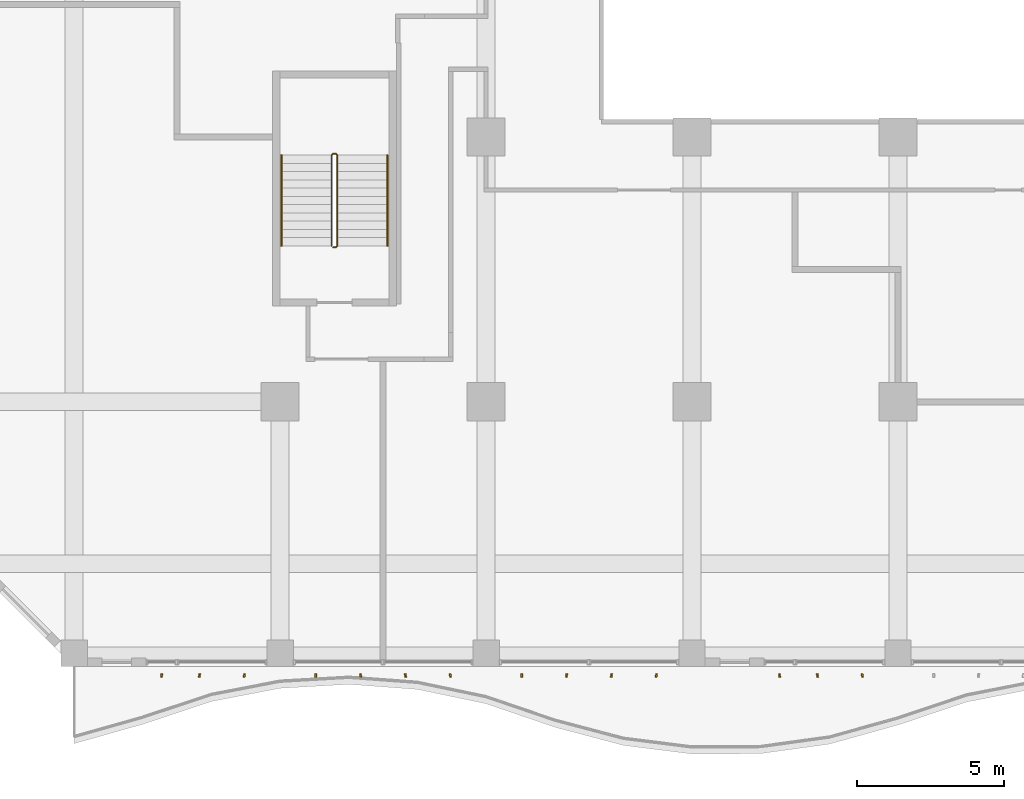
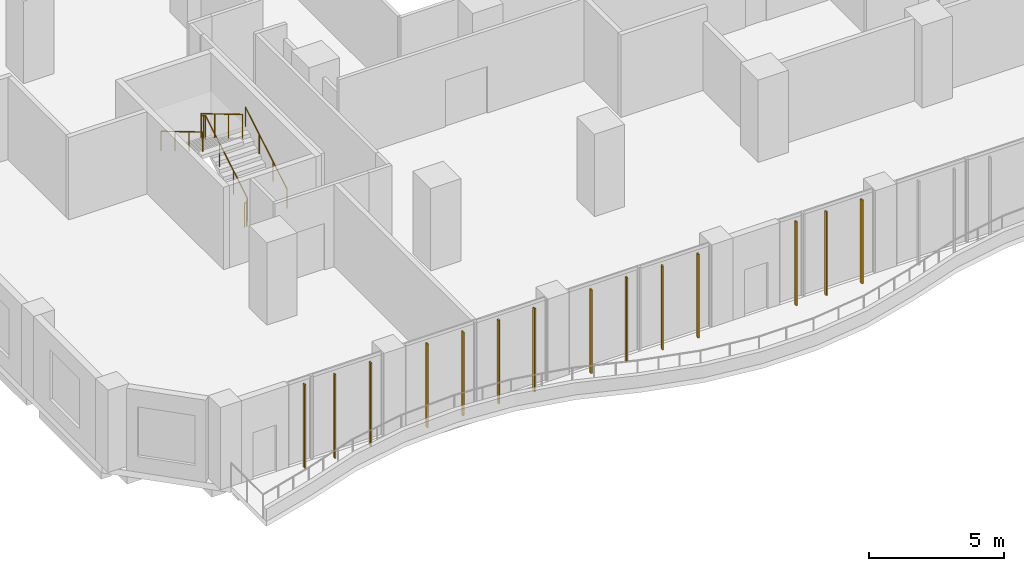
# One storey, part 19 of 26: 14 shading devices, 3 railings.
"""IFC4 building model written with IfcOpenShell, lengths in metres."""

from ifc_helpers import new_model, si_unit, direction, frame, origin, origin_2d, place, context, subcontext, project, spatial, rectangle, circle, extrude, source, transform, mapped, material, material_profile, profile_set, type_object, element, save


model = new_model("IFC4")

# Units and contexts
model_context = context("Model", 3, precision=1e-05, world=origin(), true_north=direction((0.0, 1.0)))
body_context = subcontext(model_context, "Body", "Model", "MODEL_VIEW")
ifc_project = project(units=[si_unit("LENGTHUNIT", "METRE"), si_unit("AREAUNIT", "SQUARE_METRE"), si_unit("VOLUMEUNIT", "CUBIC_METRE"), si_unit("PLANEANGLEUNIT", "RADIAN"), si_unit("MASSUNIT", "GRAM", prefix="KILO")], contexts=[model_context])

# Site, building, storey
site_placement = place(None, origin())
site = spatial("IfcSite", under=ifc_project, at=site_placement, CompositionType="ELEMENT")
building_placement = place(site_placement, origin())
building = spatial("IfcBuilding", under=site, at=building_placement, Name="Kilnfold Tower and Market Hall", CompositionType="ELEMENT")
storey_placement = place(building_placement, frame((0.0, 0.0, 31.0)))
storey = spatial("IfcBuildingStorey", under=building, at=storey_placement, Name="L06", CompositionType="ELEMENT", Elevation=31.0)

# Railings
ifc_material_1 = material(Name="Stainless steel 316", Category="steel")
railing_type_1 = type_object("IfcRailingType", Name="CORE STAIR GUARD 1100", PredefinedType="GUARDRAIL", material=ifc_material_1)
railing_1_placement = place(storey_placement, frame((-15.699951171875, -13.75, 0.0)))
element("IfcRailing", 1, at=railing_1_placement, inside=storey, type_object=railing_type_1, Name="L06 ST3 stair guard 1", PredefinedType="GUARDRAIL", context=body_context, shape_type="SweptSolid", body=[
    extrude(circle(Radius=0.02392578125, at=origin_2d()), frame((0.0, 0.0, 1.076171875), z_axis=(1.0, 0.0, 0.0), x_axis=(0.0, 1.0, 0.0)), (0.0, 0.0, 1.0), 0.099853515625),
    extrude(circle(Radius=0.02392578125, at=origin_2d()), frame((0.099853515625, 0.0, 1.076171875), z_axis=(0.27628659633, 0.27628659633, 0.920506074601), x_axis=(-0.707106781187, 0.707106781187, 0.0)), (0.0, 0.0, 1.0), 0.18115234375),
    extrude(circle(Radius=0.02392578125, at=origin_2d()), frame((0.14990234375, 0.050048828125, 1.24267578125), z_axis=(0.0, 0.859290745958, 0.51148745235), x_axis=(-1.0, 0.0, 0.0)), (0.0, 0.0, 1.0), 3.584228515625),
    extrude(circle(Radius=0.02392578125, at=origin_2d()), frame((0.14990234375, 3.1298828125, 3.076171875), z_axis=(-0.707106781187, 0.707106781187, 0.0), x_axis=(-0.707106781187, -0.707106781187, 0.0)), (0.0, 0.0, 1.0), 0.07080078125),
    extrude(circle(Radius=0.02392578125, at=origin_2d()), frame((0.099853515625, 3.179931640625, 3.076171875), z_axis=(-1.0, 0.0, 0.0), x_axis=(0.0, -1.0, 0.0)), (0.0, 0.0, 1.0), 0.099853515625),
    extrude(circle(Radius=0.02392578125, at=origin_2d()), frame((0.0, 3.179931640625, 3.076171875), z_axis=(-0.27628659633, -0.27628659633, 0.920506074601), x_axis=(0.707106781187, -0.707106781187, 0.0)), (0.0, 0.0, 1.0), 0.18115234375),
    extrude(circle(Radius=0.02392578125, at=origin_2d()), frame((-0.050048828125, 3.1298828125, 3.24267578125), z_axis=(0.0, -0.859290745958, 0.51148745235), x_axis=(1.0, 0.0, 0.0)), (0.0, 0.0, 1.0), 3.584228515625),
    extrude(circle(Radius=0.02099609375, at=origin_2d()), origin(), (0.0, 0.0, 1.0), 1.052001953125),
    extrude(circle(Radius=0.02099609375, at=origin_2d()), frame((0.099853515625, 0.0, 0.0)), (0.0, 0.0, 1.0), 1.052001953125),
    extrude(circle(Radius=0.02099609375, at=origin_2d()), frame((0.14990234375, 0.050048828125, 0.166748046875)), (0.0, 0.0, 1.0), 1.052001953125),
    extrude(circle(Radius=0.02099609375, at=origin_2d()), frame((0.14990234375, 1.07666015625, 0.77783203125)), (0.0, 0.0, 1.0), 1.052001953125),
    extrude(circle(Radius=0.02099609375, at=origin_2d()), frame((0.14990234375, 2.103271484375, 1.388916015625)), (0.0, 0.0, 1.0), 1.052001953125),
    extrude(circle(Radius=0.02099609375, at=origin_2d()), frame((0.14990234375, 3.1298828125, 2.0)), (0.0, 0.0, 1.0), 1.052001953125),
    extrude(circle(Radius=0.02099609375, at=origin_2d()), frame((0.099853515625, 3.179931640625, 2.0)), (0.0, 0.0, 1.0), 1.052001953125),
    extrude(circle(Radius=0.02099609375, at=origin_2d()), frame((0.0, 3.179931640625, 2.0)), (0.0, 0.0, 1.0), 1.052001953125),
    extrude(circle(Radius=0.02099609375, at=origin_2d()), frame((-0.050048828125, 3.1298828125, 2.166748046875)), (0.0, 0.0, 1.0), 1.052001953125),
    extrude(circle(Radius=0.02099609375, at=origin_2d()), frame((-0.050048828125, 2.103271484375, 2.77783203125)), (0.0, 0.0, 1.0), 1.052001953125),
    extrude(circle(Radius=0.02099609375, at=origin_2d()), frame((-0.050048828125, 1.07666015625, 3.388916015625)), (0.0, 0.0, 1.0), 1.052001953125),
    extrude(circle(Radius=0.02099609375, at=origin_2d()), frame((-0.050048828125, 0.050048828125, 4.0)), (0.0, 0.0, 1.0), 1.052001953125),
])
ifc_material_2 = material(Name="Stainless steel 316", Category="steel")
railing_type_2 = type_object("IfcRailingType", Name="CORE STAIR HANDRAIL 900", PredefinedType="HANDRAIL", material=ifc_material_2)
railing_2_placement = place(storey_placement, frame((-13.85009765625, -13.699951171875, 0.166748046875)))
element("IfcRailing", 2, at=railing_2_placement, inside=storey, type_object=railing_type_2, Name="L06 ST3 stair handrail 1", PredefinedType="HANDRAIL", context=body_context, shape_type="SweptSolid", body=[
    extrude(circle(Radius=0.02392578125, at=origin_2d()), frame((0.0, 0.0, 0.8759765625), z_axis=(0.0, 0.859290745958, 0.51148745235), x_axis=(-1.0, 0.0, 0.0)), (0.0, 0.0, 1.0), 3.584228515625),
    extrude(circle(Radius=0.02099609375, at=origin_2d()), origin(), (0.0, 0.0, 1.0), 0.851806640625),
    extrude(circle(Radius=0.02099609375, at=origin_2d()), frame((0.0, 1.026611328125, 0.611083984375)), (0.0, 0.0, 1.0), 0.851806640625),
    extrude(circle(Radius=0.02099609375, at=origin_2d()), frame((0.0, 2.05322265625, 1.22216796875)), (0.0, 0.0, 1.0), 0.851806640625),
    extrude(circle(Radius=0.02099609375, at=origin_2d()), frame((0.0, 3.079833984375, 1.833251953125)), (0.0, 0.0, 1.0), 0.851806640625),
])
railing_3_placement = place(storey_placement, frame((-17.449951171875, -10.6201171875, 2.166748046875)))
element("IfcRailing", 3, at=railing_3_placement, inside=storey, type_object=railing_type_2, Name="L06 ST3 stair handrail 2", PredefinedType="HANDRAIL", context=body_context, shape_type="SweptSolid", body=[
    extrude(circle(Radius=0.02392578125, at=origin_2d()), frame((0.0, 0.0, 0.8759765625), z_axis=(0.0, -0.859290745958, 0.51148745235), x_axis=(1.0, 0.0, 0.0)), (0.0, 0.0, 1.0), 3.584228515625),
    extrude(circle(Radius=0.02099609375, at=origin_2d()), origin(), (0.0, 0.0, 1.0), 0.851806640625),
    extrude(circle(Radius=0.02099609375, at=origin_2d()), frame((0.0, -1.026611328125, 0.611083984375)), (0.0, 0.0, 1.0), 0.851806640625),
    extrude(circle(Radius=0.02099609375, at=origin_2d()), frame((0.0, -2.05322265625, 1.22216796875)), (0.0, 0.0, 1.0), 0.851806640625),
    extrude(circle(Radius=0.02099609375, at=origin_2d()), frame((0.0, -3.079833984375, 1.833251953125)), (0.0, 0.0, 1.0), 0.851806640625),
])

# Shading devices
ifc_material_3 = material(Name="Terracotta", Category="masonry")
ifc_material_profile = material_profile(ifc_material_3, rectangle(XDim=0.06005859375, YDim=0.1201171875, at=origin_2d()), Name="BAG 60x120")
ifc_profile_set = profile_set([ifc_material_profile], Name="Terracotta")
shading_device_type = type_object("IfcShadingDeviceType", Name="BAGUETTE", PredefinedType="USERDEFINED", material=ifc_profile_set)
shared_shape = source(origin(), body_context, "Body", "SweptSolid", [
    extrude(rectangle(XDim=0.06005859375, YDim=0.1201171875, at=origin_2d()), origin(), (0.0, 0.0, 1.0), 3.780029296875),
])
for number, where, z_axis, x_axis, name in (
    (4, (-21.52490234375, -28.300048828125, 0.0), (0.0, 0.0, 1.0), (0.996836289843, -0.079482144235, 0.0), "Terracotta baguette L06 S"),
    (5, (-20.237548828125, -28.300048828125, 0.0), (0.0, 0.0, 1.0), (0.991650018709, -0.128958289356, 0.0), "Terracotta baguette L06 S"),
    (6, (-18.71240234375, -28.300048828125, 0.0), (0.0, 0.0, 1.0), (0.991104625852, -0.133085012734, 0.0), "Terracotta baguette L06 S"),
    (7, (-16.28759765625, -28.300048828125, 0.0), (0.0, 0.0, 1.0), (0.999671297003, -0.025637822595, 0.0), "Terracotta baguette L06 S"),
    (8, (-14.762451171875, -28.300048828125, 0.0), (0.0, 0.0, 1.0), (0.997762431677, 0.066859030313, 0.0), "Terracotta baguette L06 S"),
    (9, (-13.237548828125, -28.300048828125, 0.0), (0.0, 0.0, 1.0), (0.991650018709, 0.128958289356, 0.0), "Terracotta baguette L06 S"),
    (10, (-11.71240234375, -28.300048828125, 0.0), (0.0, 0.0, 1.0), (0.991104625852, 0.133085012734, 0.0), "Terracotta baguette L06 S"),
    (11, (-9.28759765625, -28.300048828125, 0.0), (0.0, 0.0, 1.0), (0.999671297003, 0.025637822595, 0.0), "Terracotta baguette L06 S"),
    (12, (-7.762451171875, -28.300048828125, 0.0), (0.0, 0.0, 1.0), (0.997762431677, -0.066859030313, 0.0), "Terracotta baguette L06 S"),
    (13, (-6.237548828125, -28.300048828125, 0.0), (0.0, 0.0, 1.0), (0.991650018709, -0.128958289356, 0.0), "Terracotta baguette L06 S"),
    (14, (-4.71240234375, -28.300048828125, 0.0), (0.0, 0.0, 1.0), (0.991104625852, -0.133085012734, 0.0), "Terracotta baguette L06 S"),
    (15, (-0.52490234375, -28.300048828125, 0.0), (0.0, 0.0, 1.0), (0.996836289843, 0.079482144235, 0.0), "Terracotta baguette L06 S"),
    (16, (0.762451171875, -28.300048828125, 0.0), (0.0, 0.0, 1.0), (0.991650018709, 0.128958289356, 0.0), "Terracotta baguette L06 S"),
    (17, (2.28759765625, -28.300048828125, 0.0), (0.0, 0.0, 1.0), (0.991104625852, 0.133085012734, 0.0), "Terracotta baguette L06 S"),
):
    element("IfcShadingDevice", number, at=place(storey_placement, frame(where, z_axis=z_axis, x_axis=x_axis)), inside=storey, type_object=shading_device_type, Name=name, ObjectType="BAGUETTE", PredefinedType="USERDEFINED", context=body_context, shape_type="MappedRepresentation", body=[
        mapped(shared_shape, transform((0.0, 0.0, 0.0))),
    ])

save(model, "model.ifc")
